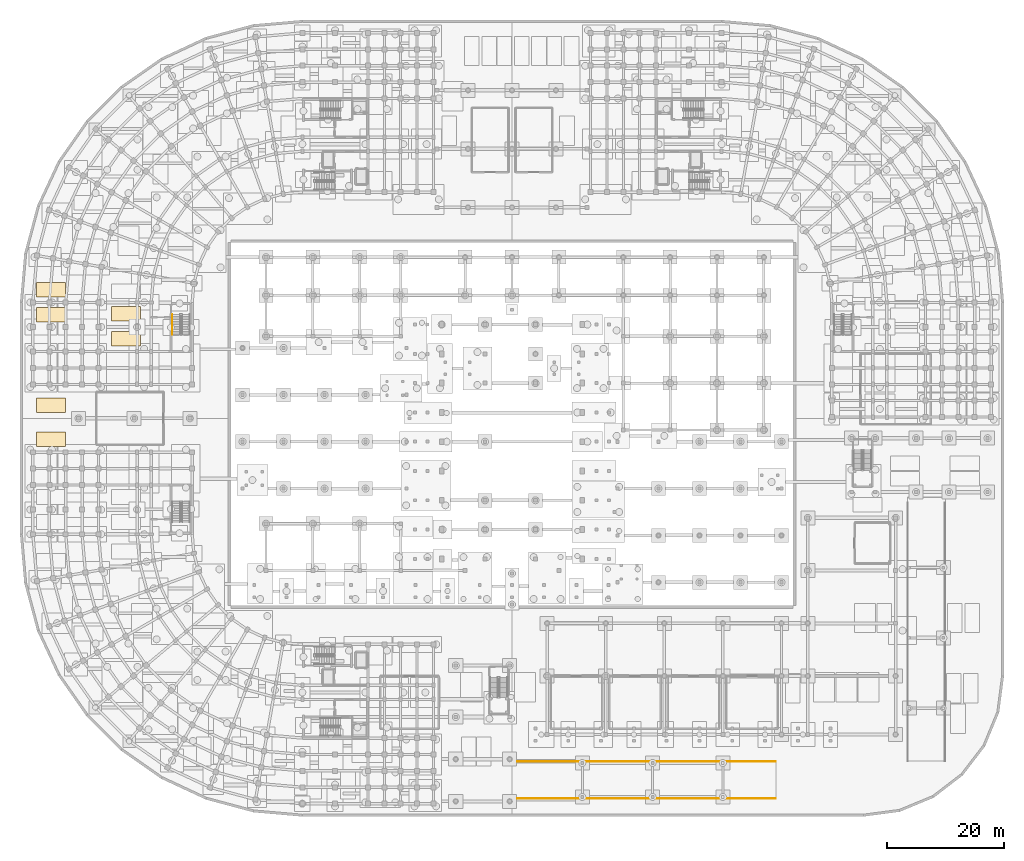
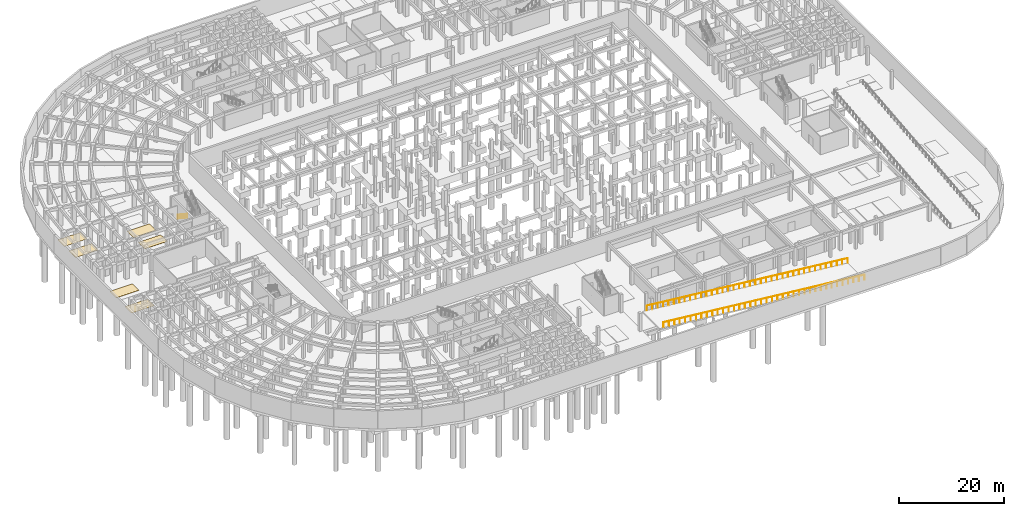
# One storey, part 44 of 53: 6 coverings, 3 railings.
"""IFC4 building model written with IfcOpenShell, lengths in metres."""

from ifc_helpers import new_model, si_unit, direction, frame, origin, origin_2d, place, context, subcontext, project, spatial, polyline, circle, outline, extrude, material, layer, layer_set, type_object, element, save


model = new_model("IFC4")

# Units and contexts
model_context = context("Model", 3, precision=1e-05, world=origin(), true_north=direction((0.0, 1.0)))
body_context = subcontext(model_context, "Body", "Model", "MODEL_VIEW")
ifc_project = project(units=[si_unit("LENGTHUNIT", "METRE"), si_unit("AREAUNIT", "SQUARE_METRE"), si_unit("VOLUMEUNIT", "CUBIC_METRE"), si_unit("PLANEANGLEUNIT", "RADIAN"), si_unit("MASSUNIT", "GRAM", prefix="KILO")], contexts=[model_context])

# Site, building, storey
site_placement = place(None, origin())
site = spatial("IfcSite", under=ifc_project, at=site_placement, CompositionType="ELEMENT")
building_placement = place(site_placement, origin())
building = spatial("IfcBuilding", under=site, at=building_placement, Name="Kiranvali Square Residences", CompositionType="ELEMENT")
storey_placement = place(building_placement, frame((0.0, 0.0, -4.5)))
storey = spatial("IfcBuildingStorey", under=building, at=storey_placement, Name="B1", CompositionType="ELEMENT", Elevation=-4.5)

# Coverings
ifc_material_1 = material(Name="Polished terrazzo and anti-slip vitrified floor finish", Category="stone")
ifc_layer = layer(ifc_material_1, 0.014892578125)
ifc_layer_set = layer_set([ifc_layer], Name="Polished terrazzo and anti-slip vitrified floor finish")
covering_type = type_object("IfcCoveringType", Name="COV-BAY-STD", PredefinedType="FLOORING", material=ifc_layer_set)
covering_1_placement = place(storey_placement, origin())
element("IfcCovering", 1, at=covering_1_placement, inside=storey, type_object=covering_type, Name="Standard Car Parking Bay P-040", PredefinedType="FLOORING", context=body_context, shape_type="SweptSolid", body=[
    extrude(outline(polyline([(2.800048828125, 63.14990234375), (7.800048828125, 63.14990234375), (7.800048828125, 65.64990234375), (2.800048828125, 65.64990234375), (2.800048828125, 63.14990234375)])), origin(), (0.0, 0.0, 1.0), 0.014892578125),
])
covering_2_placement = place(storey_placement, origin())
element("IfcCovering", 2, at=covering_2_placement, inside=storey, type_object=covering_type, Name="Standard Car Parking Bay P-041", PredefinedType="FLOORING", context=body_context, shape_type="SweptSolid", body=[
    extrude(outline(polyline([(2.800048828125, 69.0), (7.800048828125, 69.0), (7.800048828125, 71.5), (2.800048828125, 71.5), (2.800048828125, 69.0)])), origin(), (0.0, 0.0, 1.0), 0.014892578125),
])
covering_3_placement = place(storey_placement, origin())
element("IfcCovering", 3, at=covering_3_placement, inside=storey, type_object=covering_type, Name="Standard Car Parking Bay P-042", PredefinedType="FLOORING", context=body_context, shape_type="SweptSolid", body=[
    extrude(outline(polyline([(2.800048828125, 84.449951171875), (7.800048828125, 84.449951171875), (7.800048828125, 86.949951171875), (2.800048828125, 86.949951171875), (2.800048828125, 84.449951171875)])), origin(), (0.0, 0.0, 1.0), 0.014892578125),
])
covering_4_placement = place(storey_placement, origin())
element("IfcCovering", 4, at=covering_4_placement, inside=storey, type_object=covering_type, Name="Standard Car Parking Bay P-043", PredefinedType="FLOORING", context=body_context, shape_type="SweptSolid", body=[
    extrude(outline(polyline([(2.800048828125, 88.699951171875), (7.800048828125, 88.699951171875), (7.800048828125, 91.199951171875), (2.800048828125, 91.199951171875), (2.800048828125, 88.699951171875)])), origin(), (0.0, 0.0, 1.0), 0.014892578125),
])
covering_5_placement = place(storey_placement, origin())
element("IfcCovering", 5, at=covering_5_placement, inside=storey, type_object=covering_type, Name="Standard Car Parking Bay P-051", PredefinedType="FLOORING", context=body_context, shape_type="SweptSolid", body=[
    extrude(outline(polyline([(15.60009765625, 80.35009765625), (20.60009765625, 80.35009765625), (20.60009765625, 82.85009765625), (15.60009765625, 82.85009765625), (15.60009765625, 80.35009765625)])), origin(), (0.0, 0.0, 1.0), 0.014892578125),
])
covering_6_placement = place(storey_placement, origin())
element("IfcCovering", 6, at=covering_6_placement, inside=storey, type_object=covering_type, Name="Standard Car Parking Bay P-052", PredefinedType="FLOORING", context=body_context, shape_type="SweptSolid", body=[
    extrude(outline(polyline([(15.60009765625, 84.60009765625), (20.60009765625, 84.60009765625), (20.60009765625, 87.10009765625), (15.60009765625, 87.10009765625), (15.60009765625, 84.60009765625)])), origin(), (0.0, 0.0, 1.0), 0.014892578125),
])

# Railings
ifc_material_2 = material(Name="Brushed stainless steel tubular handrail", Category="steel")
railing_type_1 = type_object("IfcRailingType", Name="RL-HANDRAIL-900", PredefinedType="HANDRAIL", material=ifc_material_2)
railing_1_placement = place(storey_placement, frame((26.0, 85.699951171875, 0.173095703125)))
element("IfcRailing", 7, at=railing_1_placement, inside=storey, type_object=railing_type_1, Name="B1 ST-A3 stair handrail 1", PredefinedType="HANDRAIL", context=body_context, shape_type="SweptSolid", body=[
    extrude(circle(Radius=0.02392578125, at=origin_2d()), frame((0.0, 0.0, 0.8759765625), z_axis=(0.0, -0.835411317272, 0.549625264133), x_axis=(1.0, 0.0, 0.0)), (0.0, 0.0, 1.0), 4.09375),
    extrude(circle(Radius=0.02099609375, at=origin_2d()), origin(), (0.0, 0.0, 1.0), 0.851806640625),
    extrude(circle(Radius=0.02099609375, at=origin_2d()), frame((0.0, -0.85498046875, 0.5625)), (0.0, 0.0, 1.0), 0.851806640625),
    extrude(circle(Radius=0.02099609375, at=origin_2d()), frame((0.0, -1.7099609375, 1.125)), (0.0, 0.0, 1.0), 0.851806640625),
    extrude(circle(Radius=0.02099609375, at=origin_2d()), frame((0.0, -2.56494140625, 1.6875)), (0.0, 0.0, 1.0), 0.851806640625),
    extrude(circle(Radius=0.02099609375, at=origin_2d()), frame((0.0, -3.419921875, 2.25)), (0.0, 0.0, 1.0), 0.851806640625),
])
ifc_material_3 = material(Name="Powder-coated architectural bronze balustrade", Category="steel")
railing_type_2 = type_object("IfcRailingType", Name="RL-ST-GUARD-1200", PredefinedType="GUARDRAIL", material=ifc_material_3)
railing_2_placement = place(storey_placement, frame((129.0, 3.080078125, 0.0)))
element("IfcRailing", 8, at=railing_2_placement, inside=storey, type_object=railing_type_2, Name="Vehicular ramp VR-1 safety guard S", PredefinedType="GUARDRAIL", context=body_context, shape_type="SweptSolid", body=[
    extrude(circle(Radius=0.02392578125, at=origin_2d()), frame((0.0, 0.0, 1.17578125), z_axis=(-0.995037408369, 0.0, 0.099501537404), x_axis=(0.0, -1.0, 0.0)), (0.0, 0.0, 1.0), 44.320068359375),
    extrude(circle(Radius=0.02099609375, at=origin_2d()), origin(), (0.0, 0.0, 1.0), 1.15185546875),
    extrude(circle(Radius=0.02099609375, at=origin_2d()), frame((-1.19189453125, 0.0, 0.119140625)), (0.0, 0.0, 1.0), 1.15185546875),
    extrude(circle(Radius=0.02099609375, at=origin_2d()), frame((-2.3837890625, 0.0, 0.23828125)), (0.0, 0.0, 1.0), 1.15185546875),
    extrude(circle(Radius=0.02099609375, at=origin_2d()), frame((-3.57568359375, 0.0, 0.357666015625)), (0.0, 0.0, 1.0), 1.15185546875),
    extrude(circle(Radius=0.02099609375, at=origin_2d()), frame((-4.767578125, 0.0, 0.476806640625)), (0.0, 0.0, 1.0), 1.15185546875),
    extrude(circle(Radius=0.02099609375, at=origin_2d()), frame((-5.95947265625, 0.0, 0.595947265625)), (0.0, 0.0, 1.0), 1.15185546875),
    extrude(circle(Radius=0.02099609375, at=origin_2d()), frame((-7.1513671875, 0.0, 0.715087890625)), (0.0, 0.0, 1.0), 1.15185546875),
    extrude(circle(Radius=0.02099609375, at=origin_2d()), frame((-8.34326171875, 0.0, 0.834228515625)), (0.0, 0.0, 1.0), 1.15185546875),
    extrude(circle(Radius=0.02099609375, at=origin_2d()), frame((-9.53515625, 0.0, 0.95361328125)), (0.0, 0.0, 1.0), 1.15185546875),
    extrude(circle(Radius=0.02099609375, at=origin_2d()), frame((-10.72705078125, 0.0, 1.07275390625)), (0.0, 0.0, 1.0), 1.15185546875),
    extrude(circle(Radius=0.02099609375, at=origin_2d()), frame((-11.9189453125, 0.0, 1.19189453125)), (0.0, 0.0, 1.0), 1.15185546875),
    extrude(circle(Radius=0.02099609375, at=origin_2d()), frame((-13.11083984375, 0.0, 1.31103515625)), (0.0, 0.0, 1.0), 1.15185546875),
    extrude(circle(Radius=0.02099609375, at=origin_2d()), frame((-14.302734375, 0.0, 1.43017578125)), (0.0, 0.0, 1.0), 1.15185546875),
    extrude(circle(Radius=0.02099609375, at=origin_2d()), frame((-15.49462890625, 0.0, 1.54931640625)), (0.0, 0.0, 1.0), 1.15185546875),
    extrude(circle(Radius=0.02099609375, at=origin_2d()), frame((-16.6865234375, 0.0, 1.668701171875)), (0.0, 0.0, 1.0), 1.15185546875),
    extrude(circle(Radius=0.02099609375, at=origin_2d()), frame((-17.87841796875, 0.0, 1.787841796875)), (0.0, 0.0, 1.0), 1.15185546875),
    extrude(circle(Radius=0.02099609375, at=origin_2d()), frame((-19.0703125, 0.0, 1.906982421875)), (0.0, 0.0, 1.0), 1.15185546875),
    extrude(circle(Radius=0.02099609375, at=origin_2d()), frame((-20.26220703125, 0.0, 2.026123046875)), (0.0, 0.0, 1.0), 1.15185546875),
    extrude(circle(Radius=0.02099609375, at=origin_2d()), frame((-21.4541015625, 0.0, 2.145263671875)), (0.0, 0.0, 1.0), 1.15185546875),
    extrude(circle(Radius=0.02099609375, at=origin_2d()), frame((-22.64599609375, 0.0, 2.2646484375)), (0.0, 0.0, 1.0), 1.15185546875),
    extrude(circle(Radius=0.02099609375, at=origin_2d()), frame((-23.837890625, 0.0, 2.3837890625)), (0.0, 0.0, 1.0), 1.15185546875),
    extrude(circle(Radius=0.02099609375, at=origin_2d()), frame((-25.02978515625, 0.0, 2.5029296875)), (0.0, 0.0, 1.0), 1.15185546875),
    extrude(circle(Radius=0.02099609375, at=origin_2d()), frame((-26.2216796875, 0.0, 2.6220703125)), (0.0, 0.0, 1.0), 1.15185546875),
    extrude(circle(Radius=0.02099609375, at=origin_2d()), frame((-27.41357421875, 0.0, 2.7412109375)), (0.0, 0.0, 1.0), 1.15185546875),
    extrude(circle(Radius=0.02099609375, at=origin_2d()), frame((-28.60546875, 0.0, 2.860595703125)), (0.0, 0.0, 1.0), 1.15185546875),
    extrude(circle(Radius=0.02099609375, at=origin_2d()), frame((-29.79736328125, 0.0, 2.979736328125)), (0.0, 0.0, 1.0), 1.15185546875),
    extrude(circle(Radius=0.02099609375, at=origin_2d()), frame((-30.9892578125, 0.0, 3.098876953125)), (0.0, 0.0, 1.0), 1.15185546875),
    extrude(circle(Radius=0.02099609375, at=origin_2d()), frame((-32.18115234375, 0.0, 3.218017578125)), (0.0, 0.0, 1.0), 1.15185546875),
    extrude(circle(Radius=0.02099609375, at=origin_2d()), frame((-33.373046875, 0.0, 3.337158203125)), (0.0, 0.0, 1.0), 1.15185546875),
    extrude(circle(Radius=0.02099609375, at=origin_2d()), frame((-34.56494140625, 0.0, 3.456298828125)), (0.0, 0.0, 1.0), 1.15185546875),
    extrude(circle(Radius=0.02099609375, at=origin_2d()), frame((-35.7568359375, 0.0, 3.57568359375)), (0.0, 0.0, 1.0), 1.15185546875),
    extrude(circle(Radius=0.02099609375, at=origin_2d()), frame((-36.94873046875, 0.0, 3.69482421875)), (0.0, 0.0, 1.0), 1.15185546875),
    extrude(circle(Radius=0.02099609375, at=origin_2d()), frame((-38.140625, 0.0, 3.81396484375)), (0.0, 0.0, 1.0), 1.15185546875),
    extrude(circle(Radius=0.02099609375, at=origin_2d()), frame((-39.33251953125, 0.0, 3.93310546875)), (0.0, 0.0, 1.0), 1.15185546875),
    extrude(circle(Radius=0.02099609375, at=origin_2d()), frame((-40.5244140625, 0.0, 4.05224609375)), (0.0, 0.0, 1.0), 1.15185546875),
    extrude(circle(Radius=0.02099609375, at=origin_2d()), frame((-41.71630859375, 0.0, 4.171630859375)), (0.0, 0.0, 1.0), 1.15185546875),
    extrude(circle(Radius=0.02099609375, at=origin_2d()), frame((-42.908203125, 0.0, 4.290771484375)), (0.0, 0.0, 1.0), 1.15185546875),
    extrude(circle(Radius=0.02099609375, at=origin_2d()), frame((-44.10009765625, 0.0, 4.409912109375)), (0.0, 0.0, 1.0), 1.15185546875),
])
railing_3_placement = place(storey_placement, frame((129.0, 9.419921875, 0.0)))
element("IfcRailing", 9, at=railing_3_placement, inside=storey, type_object=railing_type_2, Name="Vehicular ramp VR-1 safety guard N", PredefinedType="GUARDRAIL", context=body_context, shape_type="SweptSolid", body=[
    extrude(circle(Radius=0.02392578125, at=origin_2d()), frame((0.0, 0.0, 1.17578125), z_axis=(-0.995037408369, 0.0, 0.099501537404), x_axis=(0.0, -1.0, 0.0)), (0.0, 0.0, 1.0), 44.320068359375),
    extrude(circle(Radius=0.02099609375, at=origin_2d()), origin(), (0.0, 0.0, 1.0), 1.15185546875),
    extrude(circle(Radius=0.02099609375, at=origin_2d()), frame((-1.19189453125, 0.0, 0.119140625)), (0.0, 0.0, 1.0), 1.15185546875),
    extrude(circle(Radius=0.02099609375, at=origin_2d()), frame((-2.3837890625, 0.0, 0.23828125)), (0.0, 0.0, 1.0), 1.15185546875),
    extrude(circle(Radius=0.02099609375, at=origin_2d()), frame((-3.57568359375, 0.0, 0.357666015625)), (0.0, 0.0, 1.0), 1.15185546875),
    extrude(circle(Radius=0.02099609375, at=origin_2d()), frame((-4.767578125, 0.0, 0.476806640625)), (0.0, 0.0, 1.0), 1.15185546875),
    extrude(circle(Radius=0.02099609375, at=origin_2d()), frame((-5.95947265625, 0.0, 0.595947265625)), (0.0, 0.0, 1.0), 1.15185546875),
    extrude(circle(Radius=0.02099609375, at=origin_2d()), frame((-7.1513671875, 0.0, 0.715087890625)), (0.0, 0.0, 1.0), 1.15185546875),
    extrude(circle(Radius=0.02099609375, at=origin_2d()), frame((-8.34326171875, 0.0, 0.834228515625)), (0.0, 0.0, 1.0), 1.15185546875),
    extrude(circle(Radius=0.02099609375, at=origin_2d()), frame((-9.53515625, 0.0, 0.95361328125)), (0.0, 0.0, 1.0), 1.15185546875),
    extrude(circle(Radius=0.02099609375, at=origin_2d()), frame((-10.72705078125, 0.0, 1.07275390625)), (0.0, 0.0, 1.0), 1.15185546875),
    extrude(circle(Radius=0.02099609375, at=origin_2d()), frame((-11.9189453125, 0.0, 1.19189453125)), (0.0, 0.0, 1.0), 1.15185546875),
    extrude(circle(Radius=0.02099609375, at=origin_2d()), frame((-13.11083984375, 0.0, 1.31103515625)), (0.0, 0.0, 1.0), 1.15185546875),
    extrude(circle(Radius=0.02099609375, at=origin_2d()), frame((-14.302734375, 0.0, 1.43017578125)), (0.0, 0.0, 1.0), 1.15185546875),
    extrude(circle(Radius=0.02099609375, at=origin_2d()), frame((-15.49462890625, 0.0, 1.54931640625)), (0.0, 0.0, 1.0), 1.15185546875),
    extrude(circle(Radius=0.02099609375, at=origin_2d()), frame((-16.6865234375, 0.0, 1.668701171875)), (0.0, 0.0, 1.0), 1.15185546875),
    extrude(circle(Radius=0.02099609375, at=origin_2d()), frame((-17.87841796875, 0.0, 1.787841796875)), (0.0, 0.0, 1.0), 1.15185546875),
    extrude(circle(Radius=0.02099609375, at=origin_2d()), frame((-19.0703125, 0.0, 1.906982421875)), (0.0, 0.0, 1.0), 1.15185546875),
    extrude(circle(Radius=0.02099609375, at=origin_2d()), frame((-20.26220703125, 0.0, 2.026123046875)), (0.0, 0.0, 1.0), 1.15185546875),
    extrude(circle(Radius=0.02099609375, at=origin_2d()), frame((-21.4541015625, 0.0, 2.145263671875)), (0.0, 0.0, 1.0), 1.15185546875),
    extrude(circle(Radius=0.02099609375, at=origin_2d()), frame((-22.64599609375, 0.0, 2.2646484375)), (0.0, 0.0, 1.0), 1.15185546875),
    extrude(circle(Radius=0.02099609375, at=origin_2d()), frame((-23.837890625, 0.0, 2.3837890625)), (0.0, 0.0, 1.0), 1.15185546875),
    extrude(circle(Radius=0.02099609375, at=origin_2d()), frame((-25.02978515625, 0.0, 2.5029296875)), (0.0, 0.0, 1.0), 1.15185546875),
    extrude(circle(Radius=0.02099609375, at=origin_2d()), frame((-26.2216796875, 0.0, 2.6220703125)), (0.0, 0.0, 1.0), 1.15185546875),
    extrude(circle(Radius=0.02099609375, at=origin_2d()), frame((-27.41357421875, 0.0, 2.7412109375)), (0.0, 0.0, 1.0), 1.15185546875),
    extrude(circle(Radius=0.02099609375, at=origin_2d()), frame((-28.60546875, 0.0, 2.860595703125)), (0.0, 0.0, 1.0), 1.15185546875),
    extrude(circle(Radius=0.02099609375, at=origin_2d()), frame((-29.79736328125, 0.0, 2.979736328125)), (0.0, 0.0, 1.0), 1.15185546875),
    extrude(circle(Radius=0.02099609375, at=origin_2d()), frame((-30.9892578125, 0.0, 3.098876953125)), (0.0, 0.0, 1.0), 1.15185546875),
    extrude(circle(Radius=0.02099609375, at=origin_2d()), frame((-32.18115234375, 0.0, 3.218017578125)), (0.0, 0.0, 1.0), 1.15185546875),
    extrude(circle(Radius=0.02099609375, at=origin_2d()), frame((-33.373046875, 0.0, 3.337158203125)), (0.0, 0.0, 1.0), 1.15185546875),
    extrude(circle(Radius=0.02099609375, at=origin_2d()), frame((-34.56494140625, 0.0, 3.456298828125)), (0.0, 0.0, 1.0), 1.15185546875),
    extrude(circle(Radius=0.02099609375, at=origin_2d()), frame((-35.7568359375, 0.0, 3.57568359375)), (0.0, 0.0, 1.0), 1.15185546875),
    extrude(circle(Radius=0.02099609375, at=origin_2d()), frame((-36.94873046875, 0.0, 3.69482421875)), (0.0, 0.0, 1.0), 1.15185546875),
    extrude(circle(Radius=0.02099609375, at=origin_2d()), frame((-38.140625, 0.0, 3.81396484375)), (0.0, 0.0, 1.0), 1.15185546875),
    extrude(circle(Radius=0.02099609375, at=origin_2d()), frame((-39.33251953125, 0.0, 3.93310546875)), (0.0, 0.0, 1.0), 1.15185546875),
    extrude(circle(Radius=0.02099609375, at=origin_2d()), frame((-40.5244140625, 0.0, 4.05224609375)), (0.0, 0.0, 1.0), 1.15185546875),
    extrude(circle(Radius=0.02099609375, at=origin_2d()), frame((-41.71630859375, 0.0, 4.171630859375)), (0.0, 0.0, 1.0), 1.15185546875),
    extrude(circle(Radius=0.02099609375, at=origin_2d()), frame((-42.908203125, 0.0, 4.290771484375)), (0.0, 0.0, 1.0), 1.15185546875),
    extrude(circle(Radius=0.02099609375, at=origin_2d()), frame((-44.10009765625, 0.0, 4.409912109375)), (0.0, 0.0, 1.0), 1.15185546875),
])

save(model, "model.ifc")
